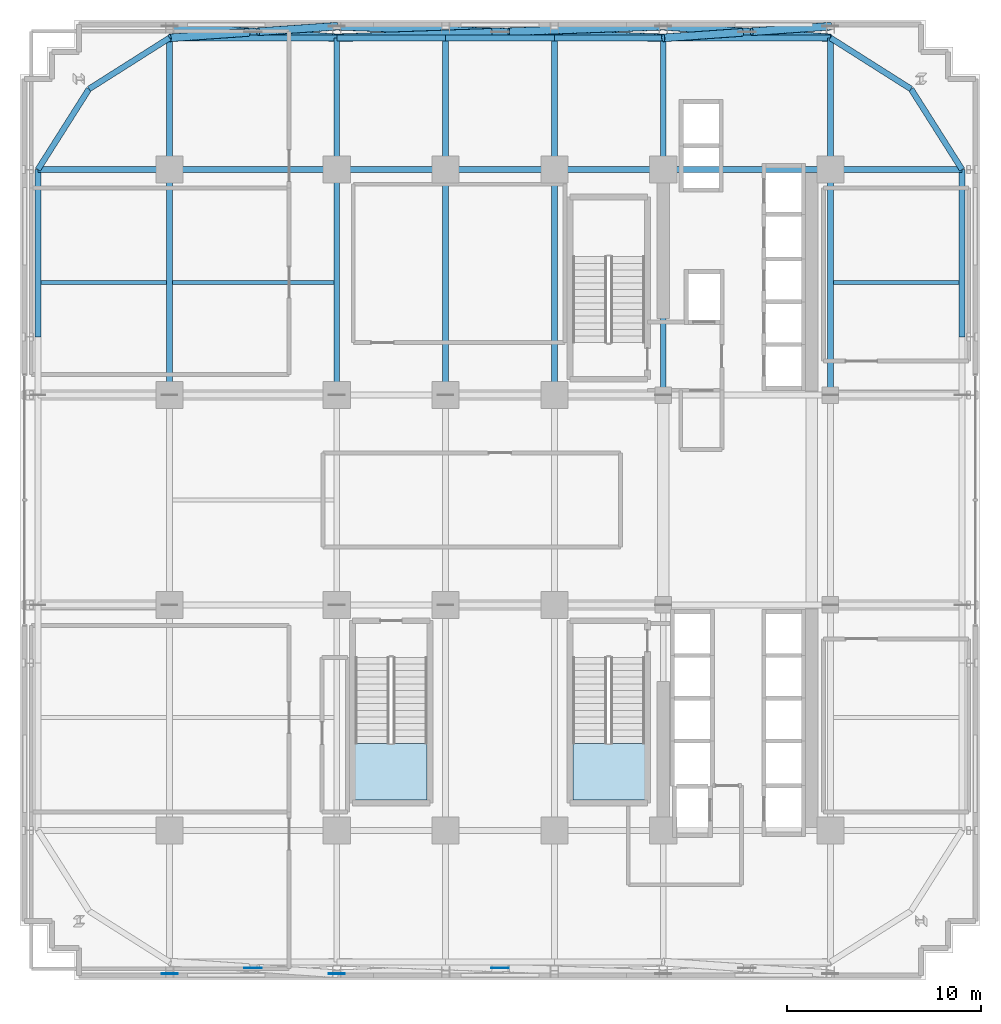
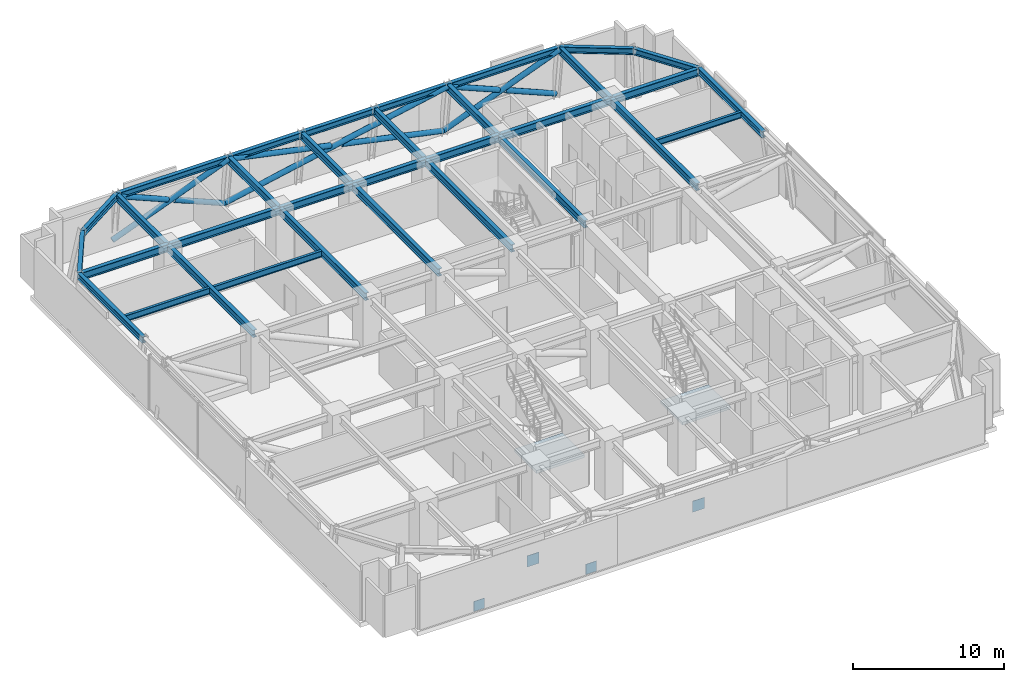
# One storey, part 6 of 17: 33 beams, 9 members, 4 plates, 2 slabs, 2 elements without a shape of their own.
"""IFC4 building model written with IfcOpenShell, lengths in metres."""

from ifc_helpers import new_model, si_unit, direction, frame, origin, origin_2d, place, context, subcontext, project, spatial, polyline, rectangle, hollow_circle, i_section, outline, extrude, source, transform, mapped, material, layer, layer_set, material_profile, profile_set, type_object, element, aggregate, save


model = new_model("IFC4")

# Units and contexts
model_context = context("Model", 3, precision=1e-05, world=origin(), true_north=direction((0.0, 1.0)))
body_context = subcontext(model_context, "Body", "Model", "MODEL_VIEW")
ifc_project = project(units=[si_unit("LENGTHUNIT", "METRE"), si_unit("AREAUNIT", "SQUARE_METRE"), si_unit("VOLUMEUNIT", "CUBIC_METRE"), si_unit("PLANEANGLEUNIT", "RADIAN"), si_unit("MASSUNIT", "GRAM", prefix="KILO")], contexts=[model_context])

# Site, building, storey
site_placement = place(None, origin())
site = spatial("IfcSite", under=ifc_project, at=site_placement, CompositionType="ELEMENT")
building_placement = place(site_placement, origin())
building = spatial("IfcBuilding", under=site, at=building_placement, Name="Nahalor Promenade Grand Hotel", CompositionType="ELEMENT")
storey_placement = place(building_placement, frame((0.0, 0.0, 83.5)))
storey = spatial("IfcBuildingStorey", under=building, at=storey_placement, Name="L20", CompositionType="ELEMENT", Elevation=83.5)

# Beams
ifc_material_1 = material(Name="Steel S355JR", Category="steel")
ifc_material_profile_1 = material_profile(ifc_material_1, i_section(OverallWidth=0.3, OverallDepth=0.6, WebThickness=0.0155, FlangeThickness=0.03, at=origin_2d()), Name="HEB 600")
ifc_profile_set_1 = profile_set([ifc_material_profile_1], Name="Steel S355JR")
beam_type_1 = type_object("IfcBeamType", Name="Beam-Girder-HEB600", PredefinedType="BEAM", material=ifc_profile_set_1)
shared_shape_1 = source(origin(), body_context, "Body", "SweptSolid", [
    extrude(i_section(OverallWidth=0.3, OverallDepth=0.6, WebThickness=0.0155, FlangeThickness=0.03, at=origin_2d()), origin(), (0.0, 0.0, 1.0), 8.60009765625),
])
for number, where, z_axis, x_axis, name in (
    (1, (-17.0, 17.0, 4.22998046875), (1.0, 0.0, 0.0), (0.0, 1.0, 0.0), "BM-L20-GX-3-1"),
    (2, (8.39990234375, 17.0, 4.22998046875), (1.0, 0.0, 0.0), (0.0, 1.0, 0.0), "BM-L20-GX-3-5"),
):
    element("IfcBeam", number, at=place(storey_placement, frame(where, z_axis=z_axis, x_axis=x_axis)), inside=storey, type_object=beam_type_1, Name=name, PredefinedType="BEAM", context=body_context, shape_type="MappedRepresentation", body=[
        mapped(shared_shape_1, transform((0.0, 0.0, 0.0), scale=1.0)),
    ])
shared_shape_2 = source(origin(), body_context, "Body", "SweptSolid", [
    extrude(i_section(OverallWidth=0.3, OverallDepth=0.6, WebThickness=0.0155, FlangeThickness=0.03, at=origin_2d()), origin(), (0.0, 0.0, 1.0), 5.599853515625),
])
for number, where, z_axis, x_axis, name in (
    (3, (-8.39990234375, 17.0, 4.22998046875), (1.0, 0.0, 0.0), (0.0, 1.0, 0.0), "BM-L20-GX-3-2"),
    (4, (2.800048828125, 17.0, 4.22998046875), (1.0, 0.0, 0.0), (0.0, 1.0, 0.0), "BM-L20-GX-3-4"),
):
    element("IfcBeam", number, at=place(storey_placement, frame(where, z_axis=z_axis, x_axis=x_axis)), inside=storey, type_object=beam_type_1, Name=name, PredefinedType="BEAM", context=body_context, shape_type="MappedRepresentation", body=[
        mapped(shared_shape_2, transform((0.0, 0.0, 0.0), scale=1.0)),
    ])
shared_shape_3 = source(origin(), body_context, "Body", "SweptSolid", [
    extrude(i_section(OverallWidth=0.3, OverallDepth=0.6, WebThickness=0.0155, FlangeThickness=0.03, at=origin_2d()), origin(), (0.0, 0.0, 1.0), 5.60009765625),
])
beam_1_placement = place(storey_placement, frame((-2.800048828125, 17.0, 4.22998046875), z_axis=(1.0, 0.0, 0.0), x_axis=(0.0, 1.0, 0.0)))
element("IfcBeam", 5, at=beam_1_placement, inside=storey, type_object=beam_type_1, Name="BM-L20-GX-3-3", PredefinedType="BEAM", context=body_context, shape_type="MappedRepresentation", body=[
    mapped(shared_shape_3, transform((0.0, 0.0, 0.0), scale=1.0)),
])
shared_shape_4 = source(origin(), body_context, "Body", "SweptSolid", [
    extrude(i_section(OverallWidth=0.3, OverallDepth=0.6, WebThickness=0.0155, FlangeThickness=0.03, at=origin_2d()), origin(), (0.0, 0.0, 1.0), 11.60009765625),
])
for number, where, z_axis, x_axis, name in (
    (6, (-17.0, 5.39990234375, 4.22998046875), (0.0, 1.0, 0.0), (-1.0, 0.0, 0.0), "BM-L20-GY-0-3"),
    (7, (-8.39990234375, 5.39990234375, 4.22998046875), (0.0, 1.0, 0.0), (-1.0, 0.0, 0.0), "BM-L20-GY-1-3"),
    (8, (-2.800048828125, 5.39990234375, 4.22998046875), (0.0, 1.0, 0.0), (-1.0, 0.0, 0.0), "BM-L20-GY-2-3"),
    (9, (2.800048828125, 5.39990234375, 4.22998046875), (0.0, 1.0, 0.0), (-1.0, 0.0, 0.0), "BM-L20-GY-3-3"),
    (10, (8.39990234375, 5.39990234375, 4.22998046875), (0.0, 1.0, 0.0), (-1.0, 0.0, 0.0), "BM-L20-GY-4-3"),
    (11, (17.0, 5.39990234375, 4.22998046875), (0.0, 1.0, 0.0), (-1.0, 0.0, 0.0), "BM-L20-GY-5-3"),
):
    element("IfcBeam", number, at=place(storey_placement, frame(where, z_axis=z_axis, x_axis=x_axis)), inside=storey, type_object=beam_type_1, Name=name, PredefinedType="BEAM", context=body_context, shape_type="MappedRepresentation", body=[
        mapped(shared_shape_4, transform((0.0, 0.0, 0.0), scale=1.0)),
    ])
ifc_material_profile_2 = material_profile(ifc_material_1, i_section(OverallWidth=0.3, OverallDepth=0.5, WebThickness=0.0145, FlangeThickness=0.028, at=origin_2d()), Name="HEB 500")
ifc_profile_set_2 = profile_set([ifc_material_profile_2], Name="Steel S355JR")
beam_type_2 = type_object("IfcBeamType", Name="Beam-Spandrel-HEB500", PredefinedType="SPANDREL", material=ifc_profile_set_2)
shared_shape_5 = source(origin(), body_context, "Body", "SweptSolid", [
    extrude(i_section(OverallWidth=0.3, OverallDepth=0.5, WebThickness=0.0145, FlangeThickness=0.028, at=origin_2d()), origin(), (0.0, 0.0, 1.0), 8.60009765625),
])
for number, where, z_axis, x_axis, name in (
    (12, (-17.0, 23.780029296875, 4.280029296875), (1.0, 0.0, 0.0), (0.0, 1.0, 0.0), "BM-L20-SP-N-0"),
    (13, (8.39990234375, 23.780029296875, 4.280029296875), (1.0, 0.0, 0.0), (0.0, 1.0, 0.0), "BM-L20-SP-N-4"),
    (14, (-23.780029296875, 8.39990234375, 4.280029296875), (0.0, 1.0, 0.0), (-1.0, 0.0, 0.0), "BM-L20-SP-W-4"),
    (15, (23.780029296875, 8.39990234375, 4.280029296875), (0.0, 1.0, 0.0), (-1.0, 0.0, 0.0), "BM-L20-SP-E-4"),
):
    element("IfcBeam", number, at=place(storey_placement, frame(where, z_axis=z_axis, x_axis=x_axis)), inside=storey, type_object=beam_type_2, Name=name, PredefinedType="SPANDREL", context=body_context, shape_type="MappedRepresentation", body=[
        mapped(shared_shape_5, transform((0.0, 0.0, 0.0), scale=1.0)),
    ])
shared_shape_6 = source(origin(), body_context, "Body", "SweptSolid", [
    extrude(i_section(OverallWidth=0.3, OverallDepth=0.5, WebThickness=0.0145, FlangeThickness=0.028, at=origin_2d()), origin(), (0.0, 0.0, 1.0), 5.599853515625),
])
for number, where, z_axis, x_axis, name in (
    (16, (-8.39990234375, 23.780029296875, 4.280029296875), (1.0, 0.0, 0.0), (0.0, 1.0, 0.0), "BM-L20-SP-N-1"),
    (17, (2.800048828125, 23.780029296875, 4.280029296875), (1.0, 0.0, 0.0), (0.0, 1.0, 0.0), "BM-L20-SP-N-3"),
):
    element("IfcBeam", number, at=place(storey_placement, frame(where, z_axis=z_axis, x_axis=x_axis)), inside=storey, type_object=beam_type_2, Name=name, PredefinedType="SPANDREL", context=body_context, shape_type="MappedRepresentation", body=[
        mapped(shared_shape_6, transform((0.0, 0.0, 0.0), scale=1.0)),
    ])
shared_shape_7 = source(origin(), body_context, "Body", "SweptSolid", [
    extrude(i_section(OverallWidth=0.3, OverallDepth=0.5, WebThickness=0.0145, FlangeThickness=0.028, at=origin_2d()), origin(), (0.0, 0.0, 1.0), 5.60009765625),
])
beam_2_placement = place(storey_placement, frame((-2.800048828125, 23.780029296875, 4.280029296875), z_axis=(1.0, 0.0, 0.0), x_axis=(0.0, 1.0, 0.0)))
element("IfcBeam", 18, at=beam_2_placement, inside=storey, type_object=beam_type_2, Name="BM-L20-SP-N-2", PredefinedType="SPANDREL", context=body_context, shape_type="MappedRepresentation", body=[
    mapped(shared_shape_7, transform((0.0, 0.0, 0.0), scale=1.0)),
])
ifc_material_profile_3 = material_profile(ifc_material_1, i_section(OverallWidth=0.2, OverallDepth=0.5, WebThickness=0.0102, FlangeThickness=0.016, at=origin_2d()), Name="IPE 500")
ifc_profile_set_3 = profile_set([ifc_material_profile_3], Name="Steel S355JR")
beam_type_3 = type_object("IfcBeamType", Name="Beam-Joist-IPE500", PredefinedType="JOIST", material=ifc_profile_set_3)
shared_shape_8 = source(origin(), body_context, "Body", "SweptSolid", [
    extrude(i_section(OverallWidth=0.2, OverallDepth=0.5, WebThickness=0.0102, FlangeThickness=0.016, at=origin_2d()), origin(), (0.0, 0.0, 1.0), 8.300048828125),
])
beam_3_placement = place(storey_placement, frame((-16.85009765625, 11.199951171875, 4.280029296875), z_axis=(1.0, 0.0, 0.0), x_axis=(0.0, 1.0, 0.0)))
element("IfcBeam", 19, at=beam_3_placement, inside=storey, type_object=beam_type_3, Name="BM-L20-JSW-1-1", PredefinedType="JOIST", context=body_context, shape_type="MappedRepresentation", body=[
    mapped(shared_shape_8, transform((0.0, 0.0, 0.0), scale=1.0)),
])
shared_shape_9 = source(origin(), body_context, "Body", "SweptSolid", [
    extrude(i_section(OverallWidth=0.3, OverallDepth=0.6, WebThickness=0.0155, FlangeThickness=0.03, at=origin_2d()), origin(), (0.0, 0.0, 1.0), 6.780029296875),
])
for number, where, z_axis, x_axis, name in (
    (20, (-23.780029296875, 17.0, 4.22998046875), (1.0, 0.0, 0.0), (0.0, 1.0, 0.0), "BM-L20-GX-3-0"),
    (21, (17.0, 17.0, 4.22998046875), (1.0, 0.0, 0.0), (0.0, 1.0, 0.0), "BM-L20-GX-3-6"),
    (22, (-17.0, 17.0, 4.22998046875), (0.0, 1.0, 0.0), (-1.0, 0.0, 0.0), "BM-L20-GY-0-4"),
    (23, (-8.39990234375, 17.0, 4.22998046875), (0.0, 1.0, 0.0), (-1.0, 0.0, 0.0), "BM-L20-GY-1-4"),
    (24, (-2.800048828125, 17.0, 4.22998046875), (0.0, 1.0, 0.0), (-1.0, 0.0, 0.0), "BM-L20-GY-2-4"),
    (25, (2.800048828125, 17.0, 4.22998046875), (0.0, 1.0, 0.0), (-1.0, 0.0, 0.0), "BM-L20-GY-3-4"),
    (26, (8.39990234375, 17.0, 4.22998046875), (0.0, 1.0, 0.0), (-1.0, 0.0, 0.0), "BM-L20-GY-4-4"),
    (27, (17.0, 17.0, 4.22998046875), (0.0, 1.0, 0.0), (-1.0, 0.0, 0.0), "BM-L20-GY-5-4"),
):
    element("IfcBeam", number, at=place(storey_placement, frame(where, z_axis=z_axis, x_axis=x_axis)), inside=storey, type_object=beam_type_1, Name=name, PredefinedType="BEAM", context=body_context, shape_type="MappedRepresentation", body=[
        mapped(shared_shape_9, transform((0.0, 0.0, 0.0), scale=1.0)),
    ])
shared_shape_10 = source(origin(), body_context, "Body", "SweptSolid", [
    extrude(i_section(OverallWidth=0.3, OverallDepth=0.5, WebThickness=0.0145, FlangeThickness=0.028, at=origin_2d()), origin(), (0.0, 0.0, 1.0), 4.9130859375),
])
for number, where, z_axis, x_axis, name in (
    (28, (-17.0, 23.780029296875, 4.280029296875), (-0.844648325505, -0.535321591403, 0.0), (0.535321591403, -0.844648325505, 0.0), "BM-L20-SPC-NW-1"),
    (29, (-21.14990234375, 21.14990234375, 4.280029296875), (-0.535321591403, -0.844648325505, 0.0), (0.844648325505, -0.535321591403, 0.0), "BM-L20-SPC-NW-2"),
    (30, (17.0, 23.780029296875, 4.280029296875), (0.844648325505, -0.535321591403, 0.0), (0.535321591403, 0.844648325505, 0.0), "BM-L20-SPC-NE-1"),
    (31, (21.14990234375, 21.14990234375, 4.280029296875), (0.535321591403, -0.844648325505, 0.0), (0.844648325505, 0.535321591403, 0.0), "BM-L20-SPC-NE-2"),
):
    element("IfcBeam", number, at=place(storey_placement, frame(where, z_axis=z_axis, x_axis=x_axis)), inside=storey, type_object=beam_type_2, Name=name, PredefinedType="SPANDREL", context=body_context, shape_type="MappedRepresentation", body=[
        mapped(shared_shape_10, transform((0.0, 0.0, 0.0), scale=1.0)),
    ])
shared_shape_11 = source(origin(), body_context, "Body", "SweptSolid", [
    extrude(i_section(OverallWidth=0.2, OverallDepth=0.5, WebThickness=0.0102, FlangeThickness=0.016, at=origin_2d()), origin(), (0.0, 0.0, 1.0), 6.47998046875),
])
for number, where, z_axis, x_axis, name in (
    (32, (-23.6298828125, 11.199951171875, 4.280029296875), (1.0, 0.0, 0.0), (0.0, 1.0, 0.0), "BM-L20-JSW-1-0"),
    (33, (17.14990234375, 11.199951171875, 4.280029296875), (1.0, 0.0, 0.0), (0.0, 1.0, 0.0), "BM-L20-JSE-1-2"),
):
    element("IfcBeam", number, at=place(storey_placement, frame(where, z_axis=z_axis, x_axis=x_axis)), inside=storey, type_object=beam_type_3, Name=name, PredefinedType="JOIST", context=body_context, shape_type="MappedRepresentation", body=[
        mapped(shared_shape_11, transform((0.0, 0.0, 0.0), scale=1.0)),
    ])

# Members
ifc_material_2 = material(Name="Steel S355J2", Category="steel")
ifc_material_profile_4 = material_profile(ifc_material_2, hollow_circle(Radius=0.2032, WallThickness=0.02, at=origin_2d()), Name="CHS 406.4x20")
ifc_profile_set_4 = profile_set([ifc_material_profile_4], Name="Steel S355J2")
member_type = type_object("IfcMemberType", Name="Mem-BeltDiag-CHS406", PredefinedType="BRACE", material=ifc_profile_set_4)
shared_shape_12 = source(origin(), body_context, "Body", "SweptSolid", [
    extrude(hollow_circle(Radius=0.2032, WallThickness=0.02, at=origin_2d()), origin(), (0.0, 0.0, 1.0), 9.48291015625),
])
for number, where, z_axis, x_axis, name in (
    (34, (-17.0, 24.3798828125, 0.300048828125), (0.906914814743, -0.063256960763, 0.416538204387), (0.069580567074, 0.997576335267, 0.0), "BT-L20-N-D1-0"),
    (35, (8.39990234375, 24.3798828125, 0.300048828125), (0.906914814743, -0.063256960763, 0.416538204387), (0.069580567074, 0.997576335267, 0.0), "BT-L20-N-D1-2"),
):
    element("IfcMember", number, at=place(storey_placement, frame(where, z_axis=z_axis, x_axis=x_axis)), inside=storey, type_object=member_type, Name=name, PredefinedType="BRACE", context=body_context, shape_type="MappedRepresentation", body=[
        mapped(shared_shape_12, transform((0.0, 0.0, 0.0), scale=1.0)),
    ])
shared_shape_13 = source(origin(), body_context, "Body", "SweptSolid", [
    extrude(hollow_circle(Radius=0.2032, WallThickness=0.02, at=origin_2d()), origin(), (0.0, 0.0, 1.0), 4.46240234375),
])
for number, where, z_axis, x_axis, name in (
    (36, (-8.39990234375, 24.3798828125, 0.300048828125), (-0.906929497047, -0.063244887409, 0.416508069073), (0.069566230285, -0.997577335149, 0.0), "BT-L20-N-D2-0A"),
    (37, (17.0, 24.3798828125, 0.300048828125), (-0.906929497047, -0.063244887409, 0.416508069073), (0.069566230285, -0.997577335149, 0.0), "BT-L20-N-D2-2A"),
):
    element("IfcMember", number, at=place(storey_placement, frame(where, z_axis=z_axis, x_axis=x_axis)), inside=storey, type_object=member_type, Name=name, PredefinedType="BRACE", context=body_context, shape_type="MappedRepresentation", body=[
        mapped(shared_shape_13, transform((0.0, 0.0, 0.0), scale=1.0)),
    ])
shared_shape_14 = source(origin(), body_context, "Body", "SweptSolid", [
    extrude(hollow_circle(Radius=0.2032, WallThickness=0.02, at=origin_2d()), origin(), (0.0, 0.0, 1.0), 4.462646484375),
])
for number, where, z_axis, x_axis, name in (
    (38, (-12.952880859375, 24.0625, 2.39111328125), (-0.906905690785, -0.06329793595, 0.416551844703), (0.069626117078, -0.997573157127, 0.0), "BT-L20-N-D2-0B"),
    (39, (12.447021484375, 24.0625, 2.39111328125), (-0.906905690785, -0.06329793595, 0.416551844703), (0.069626117078, -0.997573157127, 0.0), "BT-L20-N-D2-2B"),
):
    element("IfcMember", number, at=place(storey_placement, frame(where, z_axis=z_axis, x_axis=x_axis)), inside=storey, type_object=member_type, Name=name, PredefinedType="BRACE", context=body_context, shape_type="MappedRepresentation", body=[
        mapped(shared_shape_14, transform((0.0, 0.0, 0.0), scale=1.0)),
    ])
shared_shape_15 = source(origin(), body_context, "Body", "SweptSolid", [
    extrude(hollow_circle(Radius=0.2032, WallThickness=0.02, at=origin_2d()), origin(), (0.0, 0.0, 1.0), 17.268310546875),
])
member_placement = place(storey_placement, frame((-8.39990234375, 24.3798828125, 0.300048828125), z_axis=(0.972867690152, -0.034737195761, 0.228739556458), x_axis=(0.035683242172, 0.999363150325, 0.0)))
element("IfcMember", 40, at=member_placement, inside=storey, type_object=member_type, Name="BT-L20-N-D1-1", PredefinedType="BRACE", context=body_context, shape_type="MappedRepresentation", body=[
    mapped(shared_shape_15, transform((0.0, 0.0, 0.0), scale=1.0)),
])
shared_shape_16 = source(origin(), body_context, "Body", "SweptSolid", [
    extrude(hollow_circle(Radius=0.2032, WallThickness=0.02, at=origin_2d()), origin(), (0.0, 0.0, 1.0), 8.169189453125),
])
for number, where, z_axis, x_axis, name in (
    (41, (8.39990234375, 24.3798828125, 0.300048828125), (-0.972866864594, -0.034727100318, 0.228744600547), (0.035672915218, -0.999363519006, 0.0), "BT-L20-N-D2-1A"),
    (42, (-0.452392578125, 24.063720703125, 2.38134765625), (-0.972866864594, -0.034727100318, 0.228744600547), (0.035672915218, -0.999363519006, 0.0), "BT-L20-N-D2-1B"),
):
    element("IfcMember", number, at=place(storey_placement, frame(where, z_axis=z_axis, x_axis=x_axis)), inside=storey, type_object=member_type, Name=name, PredefinedType="BRACE", context=body_context, shape_type="MappedRepresentation", body=[
        mapped(shared_shape_16, transform((0.0, 0.0, 0.0), scale=1.0)),
    ])

# Stair, slab
ifc_material_3 = material(Name="Concrete B-50 (C40/50)", Category="concrete")
stair_type_1 = type_object("IfcStairType", Name="Stair-ST2", PredefinedType="HALF_TURN_STAIR", material=ifc_material_3)
stair_1_placement = place(storey_placement, origin())
stair_1 = element("IfcStair", 43, at=stair_1_placement, inside=storey, type_object=stair_type_1, Name="L20 ST2", PredefinedType="HALF_TURN_STAIR")
ifc_layer_1 = layer(ifc_material_3, 0.2099609375)
ifc_layer_set_1 = layer_set([ifc_layer_1], Name="Concrete B-50 (C40/50)")
slab_type_1 = type_object("IfcSlabType", Name="Landing-ST2", PredefinedType="LANDING", material=ifc_layer_set_1)
slab_1_placement = place(storey_placement, frame((0.0, 0.0, 2.18994140625)))
slab_1 = element("IfcSlab", 44, at=slab_1_placement, type_object=slab_type_1, Name="ST2 landing 1", PredefinedType="LANDING", context=body_context, shape_type="SweptSolid", body=[
    extrude(outline(polyline([(3.75, -12.52001953125), (3.75, -15.449951171875), (7.449951171875, -15.449951171875), (7.449951171875, -12.52001953125), (3.75, -12.52001953125)])), origin(), (0.0, 0.0, 1.0), 0.2099609375),
])
aggregate(stair_1, [slab_1])

stair_type_2 = type_object("IfcStairType", Name="Stair-ST3", PredefinedType="HALF_TURN_STAIR", material=ifc_material_3)
stair_2_placement = place(storey_placement, origin())
stair_2 = element("IfcStair", 45, at=stair_2_placement, inside=storey, type_object=stair_type_2, Name="L20 ST3", PredefinedType="HALF_TURN_STAIR")
ifc_layer_2 = layer(ifc_material_3, 0.219970703125)
ifc_layer_set_2 = layer_set([ifc_layer_2], Name="Concrete B-50 (C40/50)")
slab_type_2 = type_object("IfcSlabType", Name="Landing-ST3", PredefinedType="LANDING", material=ifc_layer_set_2)
slab_2_placement = place(storey_placement, frame((0.0, 0.0, 2.179931640625)))
slab_2 = element("IfcSlab", 46, at=slab_2_placement, type_object=slab_type_2, Name="ST3 landing 1", PredefinedType="LANDING", context=body_context, shape_type="SweptSolid", body=[
    extrude(outline(polyline([(-7.449951171875, -12.52001953125), (-7.449951171875, -15.449951171875), (-3.75, -15.449951171875), (-3.75, -12.52001953125), (-7.449951171875, -12.52001953125)])), origin(), (0.0, 0.0, 1.0), 0.219970703125),
])
aggregate(stair_2, [slab_2])

# Plates
ifc_layer_3 = layer(ifc_material_2, 0.035888671875)
ifc_layer_set_3 = layer_set([ifc_layer_3], Name="Steel S355J2")
plate_type_1 = type_object("IfcPlateType", Name="Plate-CrossGusset-36", PredefinedType="USERDEFINED", material=ifc_layer_set_3)
shared_shape_17 = source(origin(), body_context, "Body", "SweptSolid", [
    extrude(rectangle(XDim=0.89990234375, YDim=0.035888671875, at=origin_2d()), origin(), (0.0, 0.0, 1.0), 0.89990234375),
])
for number, where, z_axis, x_axis, name in (
    (47, (-12.699951171875, -24.080078125, 1.824951171875), (0.0, 0.0, 1.0), (1.0, 0.0, 0.0), "PL-L20-BTX-S-0"),
    (48, (0.0, -24.080078125, 1.824951171875), (0.0, 0.0, 1.0), (1.0, 0.0, 0.0), "PL-L20-BTX-S-1"),
):
    element("IfcPlate", number, at=place(storey_placement, frame(where, z_axis=z_axis, x_axis=x_axis)), inside=storey, type_object=plate_type_1, Name=name, ObjectType="GUSSET_PLATE", PredefinedType="USERDEFINED", context=body_context, shape_type="MappedRepresentation", body=[
        mapped(shared_shape_17, transform((0.0, 0.0, 0.0), scale=1.0)),
    ])
ifc_layer_4 = layer(ifc_material_2, 0.031982421875)
ifc_layer_set_4 = layer_set([ifc_layer_4], Name="Steel S355J2")
plate_type_2 = type_object("IfcPlateType", Name="Plate-BeltGusset-32", PredefinedType="USERDEFINED", material=ifc_layer_set_4)
shared_shape_18 = source(origin(), body_context, "Body", "SweptSolid", [
    extrude(rectangle(XDim=0.820068359375, YDim=0.031982421875, at=origin_2d()), origin(), (0.0, 0.0, 1.0), 0.820068359375),
])
for number, where, z_axis, x_axis, name in (
    (49, (-17.0, -24.3798828125, -0.10986328125), (0.0, 0.0, 1.0), (1.0, 0.0, 0.0), "PL-L20-BELT-S-1"),
    (50, (-8.39990234375, -24.3798828125, -0.10986328125), (0.0, 0.0, 1.0), (1.0, 0.0, 0.0), "PL-L20-BELT-S-2"),
):
    element("IfcPlate", number, at=place(storey_placement, frame(where, z_axis=z_axis, x_axis=x_axis)), inside=storey, type_object=plate_type_2, Name=name, ObjectType="GUSSET_PLATE", PredefinedType="USERDEFINED", context=body_context, shape_type="MappedRepresentation", body=[
        mapped(shared_shape_18, transform((0.0, 0.0, 0.0), scale=1.0)),
    ])

save(model, "model.ifc")
